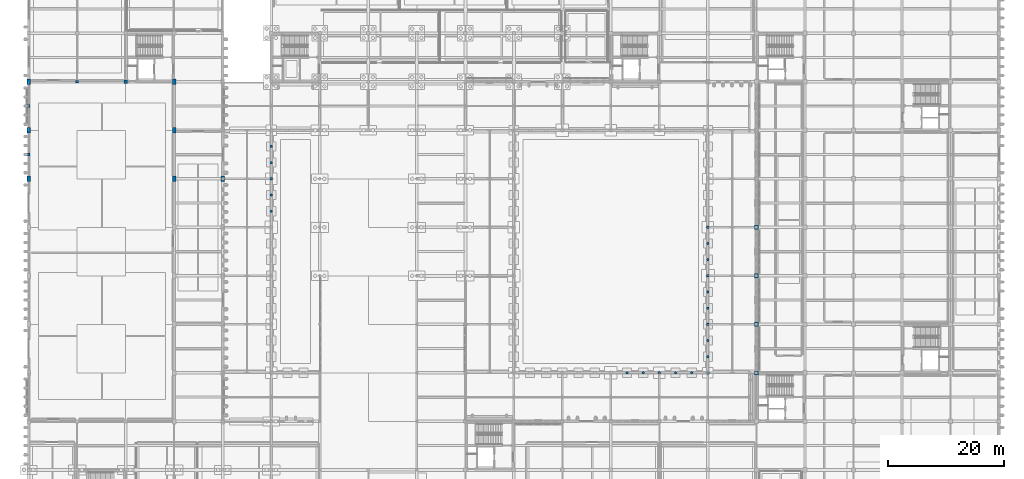
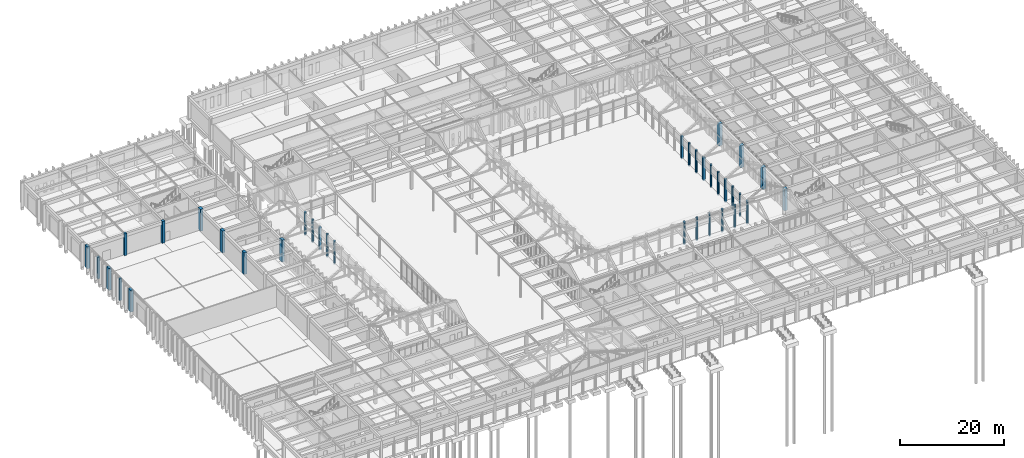
# One storey, part 15 of 143: 35 columns.
"""IFC4 building model written with IfcOpenShell, lengths in metres."""

from ifc_helpers import new_model, si_unit, direction, frame, origin, origin_2d, place, context, subcontext, project, spatial, rectangle, circle, extrude, material, material_profile, profile_set, type_object, element, save


model = new_model("IFC4")

# Units and contexts
model_context = context("Model", 3, precision=1e-05, world=origin(), true_north=direction((0.0, 1.0)))
body_context = subcontext(model_context, "Body", "Model", "MODEL_VIEW")
ifc_project = project(units=[si_unit("LENGTHUNIT", "METRE"), si_unit("AREAUNIT", "SQUARE_METRE"), si_unit("VOLUMEUNIT", "CUBIC_METRE"), si_unit("PLANEANGLEUNIT", "RADIAN"), si_unit("MASSUNIT", "GRAM", prefix="KILO")], contexts=[model_context])

# Site, building, storey
site_placement = place(None, origin())
site = spatial("IfcSite", under=ifc_project, at=site_placement, CompositionType="ELEMENT")
building_placement = place(site_placement, origin())
building = spatial("IfcBuilding", under=site, at=building_placement, Name="Kveldsbrygga Polytechnic", CompositionType="ELEMENT")
storey_placement = place(building_placement, origin())
storey = spatial("IfcBuildingStorey", under=building, at=storey_placement, Name="L00", CompositionType="ELEMENT", Elevation=0.0)

# Columns
ifc_material = material(Name="Concrete C45/55", Category="concrete")
ifc_material_profile_1 = material_profile(ifc_material, circle(Radius=0.22509765625, at=origin_2d()), Name="RC D450")
ifc_profile_set_1 = profile_set([ifc_material_profile_1], Name="Concrete C45/55")
column_type_1 = type_object("IfcColumnType", Name="COL-ARC-D450", PredefinedType="COLUMN", material=ifc_profile_set_1)
for number, where, z_axis, x_axis, name in (
    (1, (109.199951171875, 33.60009765625, -0.320068359375), (0.0, 0.0, 1.0), (1.0, 0.0, 0.0), "Column COL-L00-13-04"),
    (2, (42.0, 61.60009765625, -0.320068359375), (0.0, 0.0, 1.0), (1.0, 0.0, 0.0), "Cloister Arcade Pier COL-ARC-051"),
    (3, (42.0, 64.39990234375, -0.320068359375), (0.0, 0.0, 1.0), (1.0, 0.0, 0.0), "Cloister Arcade Pier COL-ARC-052"),
    (4, (42.0, 70.0, -0.320068359375), (0.0, 0.0, 1.0), (1.0, 0.0, 0.0), "Cloister Arcade Pier COL-ARC-053"),
    (5, (42.0, 72.800048828125, -0.320068359375), (0.0, 0.0, 1.0), (1.0, 0.0, 0.0), "Cloister Arcade Pier COL-ARC-054"),
    (6, (103.60009765625, 33.60009765625, -0.320068359375), (0.0, 0.0, 1.0), (1.0, 0.0, 0.0), "Cloister Arcade Pier COL-ARC-063"),
    (7, (106.39990234375, 33.60009765625, -0.320068359375), (0.0, 0.0, 1.0), (1.0, 0.0, 0.0), "Cloister Arcade Pier COL-ARC-064"),
    (8, (112.0, 33.60009765625, -0.320068359375), (0.0, 0.0, 1.0), (1.0, 0.0, 0.0), "Cloister Arcade Pier COL-ARC-067"),
    (9, (114.800048828125, 33.60009765625, -0.320068359375), (0.0, 0.0, 1.0), (1.0, 0.0, 0.0), "Cloister Arcade Pier COL-ARC-068"),
    (10, (117.60009765625, 36.39990234375, -0.320068359375), (0.0, 0.0, 1.0), (1.0, 0.0, 0.0), "Cloister Arcade Pier COL-ARC-073"),
    (11, (117.60009765625, 39.199951171875, -0.320068359375), (0.0, 0.0, 1.0), (1.0, 0.0, 0.0), "Cloister Arcade Pier COL-ARC-074"),
    (12, (117.60009765625, 44.800048828125, -0.320068359375), (0.0, 0.0, 1.0), (1.0, 0.0, 0.0), "Cloister Arcade Pier COL-ARC-077"),
    (13, (117.60009765625, 47.60009765625, -0.320068359375), (0.0, 0.0, 1.0), (1.0, 0.0, 0.0), "Cloister Arcade Pier COL-ARC-078"),
    (14, (117.60009765625, 53.199951171875, -0.320068359375), (0.0, 0.0, 1.0), (1.0, 0.0, 0.0), "Cloister Arcade Pier COL-ARC-081"),
    (15, (117.60009765625, 56.0, -0.320068359375), (0.0, 0.0, 1.0), (1.0, 0.0, 0.0), "Cloister Arcade Pier COL-ARC-082"),
):
    element("IfcColumn", number, at=place(storey_placement, frame(where, z_axis=z_axis, x_axis=x_axis)), inside=storey, type_object=column_type_1, Name=name, PredefinedType="COLUMN", context=body_context, shape_type="SweptSolid", body=[
        extrude(circle(Radius=0.22509765625, at=origin_2d()), origin(), (0.0, 0.0, 1.0), 5.4599609375),
    ])
ifc_material_profile_2 = material_profile(ifc_material, circle(Radius=0.27490234375, at=origin_2d()), Name="RC D550")
ifc_profile_set_2 = profile_set([ifc_material_profile_2], Name="Concrete C45/55")
column_type_2 = type_object("IfcColumnType", Name="COL-ARC-D550", PredefinedType="COLUMN", material=ifc_profile_set_2)
column_1_placement = place(storey_placement, frame((117.60009765625, 33.60009765625, -0.320068359375), z_axis=(0.0, 0.0, 1.0), x_axis=(1.0, 0.0, 0.0)))
element("IfcColumn", 16, at=column_1_placement, inside=storey, type_object=column_type_2, Name="Column COL-L00-14-04", PredefinedType="COLUMN", context=body_context, shape_type="SweptSolid", body=[
    extrude(circle(Radius=0.27490234375, at=origin_2d()), origin(), (0.0, 0.0, 1.0), 5.4599609375),
])
ifc_material_profile_3 = material_profile(ifc_material, rectangle(XDim=0.60009765625, YDim=0.89990234375, at=origin_2d()), Name="RC 600x900")
ifc_profile_set_3 = profile_set([ifc_material_profile_3], Name="Concrete C45/55")
column_type_3 = type_object("IfcColumnType", Name="COL-CRANE-900", PredefinedType="COLUMN", material=ifc_profile_set_3)
for number, where, z_axis, x_axis, name in (
    (17, (0.0, 67.199951171875, 0.0), (0.0, 0.0, 1.0), (1.0, 0.0, 0.0), "Column COL-L00-00-08"),
    (18, (0.0, 75.60009765625, 0.0), (0.0, 0.0, 1.0), (1.0, 0.0, 0.0), "Column COL-L00-00-09"),
    (19, (0.0, 84.0, 0.0), (0.0, 0.0, 1.0), (1.0, 0.0, 0.0), "Column COL-L00-00-10"),
    (20, (25.199951171875, 67.199951171875, 0.0), (0.0, 0.0, 1.0), (1.0, 0.0, 0.0), "Column COL-L00-03-08"),
    (21, (25.199951171875, 75.60009765625, 0.0), (0.0, 0.0, 1.0), (1.0, 0.0, 0.0), "Column COL-L00-03-09"),
    (22, (25.199951171875, 84.0, 0.0), (0.0, 0.0, 1.0), (1.0, 0.0, 0.0), "Column COL-L00-03-10"),
    (23, (33.60009765625, 67.199951171875, 0.0), (0.0, 0.0, 1.0), (1.0, 0.0, 0.0), "Column COL-L00-04-08"),
):
    element("IfcColumn", number, at=place(storey_placement, frame(where, z_axis=z_axis, x_axis=x_axis)), inside=storey, type_object=column_type_3, Name=name, PredefinedType="COLUMN", context=body_context, shape_type="SweptSolid", body=[
        extrude(rectangle(XDim=0.60009765625, YDim=0.89990234375, at=origin_2d()), origin(), (0.0, 0.0, 1.0), 5.139892578125),
    ])
ifc_material_profile_4 = material_profile(ifc_material, rectangle(XDim=0.39990234375, YDim=0.39990234375, at=origin_2d()), Name="RC 400x400")
ifc_profile_set_4 = profile_set([ifc_material_profile_4], Name="Concrete C45/55")
column_type_4 = type_object("IfcColumnType", Name="COL-RC-400", PredefinedType="COLUMN", material=ifc_profile_set_4)
for number, where, z_axis, x_axis, name in (
    (24, (117.60009765625, 42.0, -0.320068359375), (0.0, 0.0, 1.0), (1.0, 0.0, 0.0), "Column COL-L00-14-05"),
    (25, (117.60009765625, 58.800048828125, -0.320068359375), (0.0, 0.0, 1.0), (1.0, 0.0, 0.0), "Column COL-L00-14-07"),
):
    element("IfcColumn", number, at=place(storey_placement, frame(where, z_axis=z_axis, x_axis=x_axis)), inside=storey, type_object=column_type_4, Name=name, PredefinedType="COLUMN", context=body_context, shape_type="SweptSolid", body=[
        extrude(rectangle(XDim=0.39990234375, YDim=0.39990234375, at=origin_2d()), origin(), (0.0, 0.0, 1.0), 5.4599609375),
    ])
ifc_material_profile_5 = material_profile(ifc_material, rectangle(XDim=0.419921875, YDim=0.419921875, at=origin_2d()), Name="RC 420x420")
ifc_profile_set_5 = profile_set([ifc_material_profile_5], Name="Concrete C45/55")
column_type_5 = type_object("IfcColumnType", Name="COL-RC-420", PredefinedType="COLUMN", material=ifc_profile_set_5)
column_2_placement = place(storey_placement, frame((42.0, 67.199951171875, -0.320068359375), z_axis=(0.0, 0.0, 1.0), x_axis=(1.0, 0.0, 0.0)))
element("IfcColumn", 26, at=column_2_placement, inside=storey, type_object=column_type_5, Name="Column COL-L00-05-08", PredefinedType="COLUMN", context=body_context, shape_type="SweptSolid", body=[
    extrude(rectangle(XDim=0.419921875, YDim=0.419921875, at=origin_2d()), origin(), (0.0, 0.0, 1.0), 5.4599609375),
])
ifc_material_profile_6 = material_profile(ifc_material, rectangle(XDim=0.449951171875, YDim=0.449951171875, at=origin_2d()), Name="RC 450x450")
ifc_profile_set_6 = profile_set([ifc_material_profile_6], Name="Concrete C45/55")
column_type_6 = type_object("IfcColumnType", Name="COL-RC-450", PredefinedType="COLUMN", material=ifc_profile_set_6)
column_3_placement = place(storey_placement, frame((117.60009765625, 50.39990234375, -0.320068359375), z_axis=(0.0, 0.0, 1.0), x_axis=(1.0, 0.0, 0.0)))
element("IfcColumn", 27, at=column_3_placement, inside=storey, type_object=column_type_6, Name="Column COL-L00-14-06", PredefinedType="COLUMN", context=body_context, shape_type="SweptSolid", body=[
    extrude(rectangle(XDim=0.449951171875, YDim=0.449951171875, at=origin_2d()), origin(), (0.0, 0.0, 1.0), 5.4599609375),
])
ifc_material_profile_7 = material_profile(ifc_material, rectangle(XDim=0.5, YDim=0.5, at=origin_2d()), Name="RC 500x500")
ifc_profile_set_7 = profile_set([ifc_material_profile_7], Name="Concrete C45/55")
column_type_7 = type_object("IfcColumnType", Name="COL-RC-500", PredefinedType="COLUMN", material=ifc_profile_set_7)
column_4_placement = place(storey_placement, frame((8.39990234375, 84.0, 0.0), z_axis=(0.0, 0.0, 1.0), x_axis=(1.0, 0.0, 0.0)))
element("IfcColumn", 28, at=column_4_placement, inside=storey, type_object=column_type_7, Name="Column COL-L00-01-10", PredefinedType="COLUMN", context=body_context, shape_type="SweptSolid", body=[
    extrude(rectangle(XDim=0.5, YDim=0.5, at=origin_2d()), origin(), (0.0, 0.0, 1.0), 5.139892578125),
])
ifc_material_profile_8 = material_profile(ifc_material, rectangle(XDim=0.550048828125, YDim=0.550048828125, at=origin_2d()), Name="RC 550x550")
ifc_profile_set_8 = profile_set([ifc_material_profile_8], Name="Concrete C45/55")
column_type_8 = type_object("IfcColumnType", Name="COL-RC-550", PredefinedType="COLUMN", material=ifc_profile_set_8)
column_5_placement = place(storey_placement, frame((16.800048828125, 84.0, 0.0), z_axis=(0.0, 0.0, 1.0), x_axis=(1.0, 0.0, 0.0)))
element("IfcColumn", 29, at=column_5_placement, inside=storey, type_object=column_type_8, Name="Column COL-L00-02-10", PredefinedType="COLUMN", context=body_context, shape_type="SweptSolid", body=[
    extrude(rectangle(XDim=0.550048828125, YDim=0.550048828125, at=origin_2d()), origin(), (0.0, 0.0, 1.0), 5.139892578125),
])
ifc_material_profile_9 = material_profile(ifc_material, rectangle(XDim=0.719970703125, YDim=0.719970703125, at=origin_2d()), Name="RC 720x720")
ifc_profile_set_9 = profile_set([ifc_material_profile_9], Name="Concrete C45/55")
column_type_9 = type_object("IfcColumnType", Name="COL-RC-720", PredefinedType="COLUMN", material=ifc_profile_set_9)
for number, where, z_axis, x_axis, name in (
    (30, (126.0, 33.60009765625, 0.0), (0.0, 0.0, 1.0), (1.0, 0.0, 0.0), "Column COL-L00-15-04"),
    (31, (126.0, 50.39990234375, 0.0), (0.0, 0.0, 1.0), (1.0, 0.0, 0.0), "Column COL-L00-15-06"),
):
    element("IfcColumn", number, at=place(storey_placement, frame(where, z_axis=z_axis, x_axis=x_axis)), inside=storey, type_object=column_type_9, Name=name, PredefinedType="COLUMN", context=body_context, shape_type="SweptSolid", body=[
        extrude(rectangle(XDim=0.719970703125, YDim=0.719970703125, at=origin_2d()), origin(), (0.0, 0.0, 1.0), 5.139892578125),
    ])
ifc_material_profile_10 = material_profile(ifc_material, rectangle(XDim=0.75, YDim=0.75, at=origin_2d()), Name="RC 750x750")
ifc_profile_set_10 = profile_set([ifc_material_profile_10], Name="Concrete C45/55")
column_type_10 = type_object("IfcColumnType", Name="COL-RC-750", PredefinedType="COLUMN", material=ifc_profile_set_10)
for number, where, z_axis, x_axis, name in (
    (32, (126.0, 42.0, 0.0), (0.0, 0.0, 1.0), (1.0, 0.0, 0.0), "Column COL-L00-15-05"),
    (33, (126.0, 58.800048828125, 0.0), (0.0, 0.0, 1.0), (1.0, 0.0, 0.0), "Column COL-L00-15-07"),
):
    element("IfcColumn", number, at=place(storey_placement, frame(where, z_axis=z_axis, x_axis=x_axis)), inside=storey, type_object=column_type_10, Name=name, PredefinedType="COLUMN", context=body_context, shape_type="SweptSolid", body=[
        extrude(rectangle(XDim=0.75, YDim=0.75, at=origin_2d()), origin(), (0.0, 0.0, 1.0), 5.139892578125),
    ])
ifc_material_profile_11 = material_profile(ifc_material, rectangle(XDim=0.5, YDim=0.5, at=origin_2d()), Name="RC 500x500")
ifc_profile_set_11 = profile_set([ifc_material_profile_11], Name="Concrete C45/55")
column_type_11 = type_object("IfcColumnType", Name="PIL-BRICK-550", PredefinedType="PILASTER", material=ifc_profile_set_11)
for number, where, z_axis, x_axis, name in (
    (34, (0.0, 71.39990234375, 0.0), (0.0, 0.0, 1.0), (1.0, 0.0, 0.0), "Brick Buttress Pilaster PILAS-L00-00-08"),
    (35, (0.0, 79.800048828125, 0.0), (0.0, 0.0, 1.0), (1.0, 0.0, 0.0), "Brick Buttress Pilaster PILAS-L00-00-09"),
):
    element("IfcColumn", number, at=place(storey_placement, frame(where, z_axis=z_axis, x_axis=x_axis)), inside=storey, type_object=column_type_11, Name=name, PredefinedType="PILASTER", context=body_context, shape_type="SweptSolid", body=[
        extrude(rectangle(XDim=0.5, YDim=0.5, at=origin_2d()), origin(), (0.0, 0.0, 1.0), 5.139892578125),
    ])

save(model, "model.ifc")
